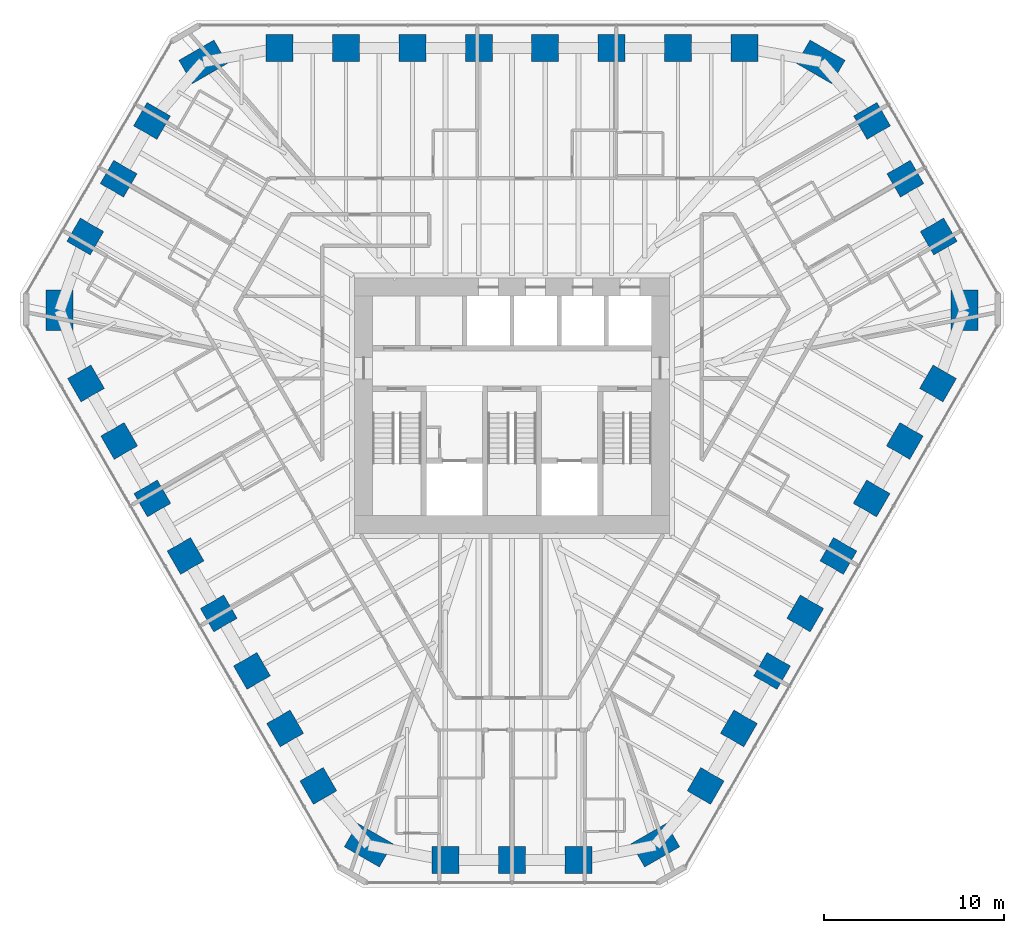
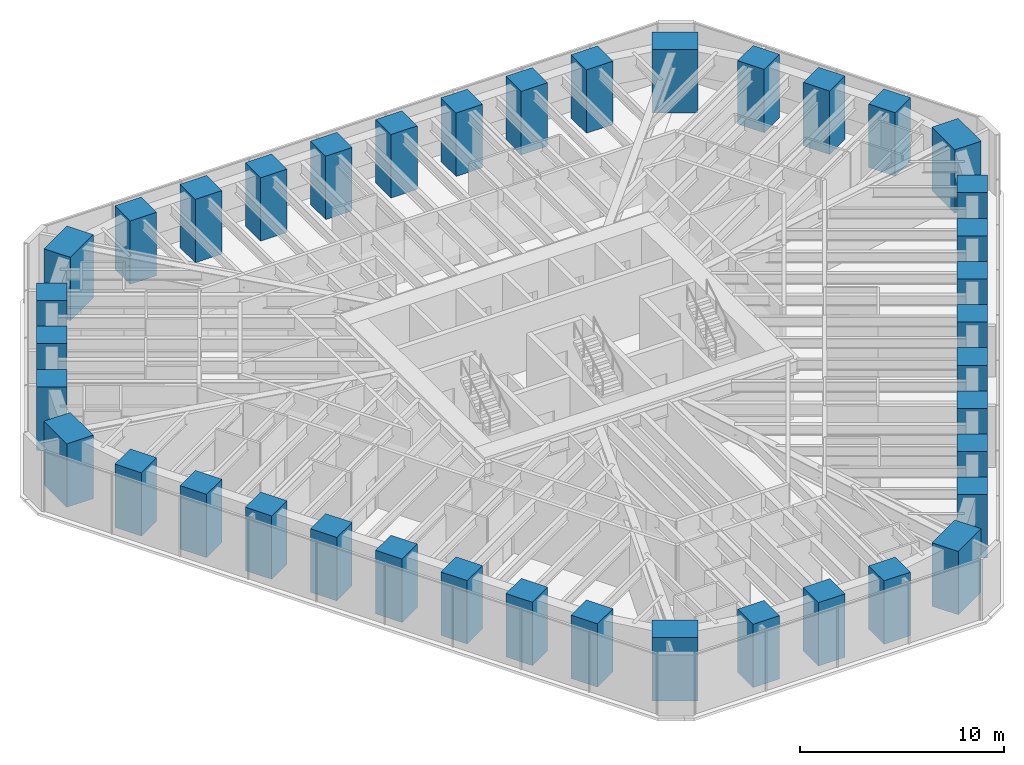
# One storey, part 1 of 17: 39 columns.
"""IFC4 building model written with IfcOpenShell, lengths in metres."""

import ifcopenshell
import ifcopenshell.guid

model = None  # the IFC model being written
_history = None  # IfcOwnerHistory: only IFC2X3 demands one
_inside = {}  # id of a spatial element -> (the spatial element, [elements in it])
_under = {}  # id of a project, library or spatial element -> (it, [spatial elements below it])
_declared = {}  # id of a project -> (the project, [libraries it declares])
_typed = {}  # id of a type object -> (the type object, [elements of that type])
_made_of = {}  # id of a material, layer set ... -> (it, [elements and type objects made of it])


def new_model(schema):
    """Start an empty IFC model of exactly this schema.

    Asked for "IFC4X3", IfcOpenShell would pick the latest addendum, in which some entities
    have other attributes; the version numbers below select the first issue.
    IFC2X3 requires an IfcOwnerHistory on every rooted entity: one is made here for all.
    """
    global model, _history
    if schema == "IFC4X3":
        model = ifcopenshell.file(schema_version=(4, 3, 0, 0))
    else:
        model = ifcopenshell.file(schema=schema)
    _inside.clear()
    _under.clear()
    _declared.clear()
    _typed.clear()
    _made_of.clear()
    _history = None
    if model.schema == "IFC2X3":
        org = make("IfcOrganization", Name="unknown")
        user = make(
            "IfcPersonAndOrganization",
            ThePerson=make("IfcPerson", FamilyName="unknown"),
            TheOrganization=org,
        )
        app = make(
            "IfcApplication",
            ApplicationDeveloper=org,
            Version="unknown",
            ApplicationFullName="unknown",
            ApplicationIdentifier="unknown",
        )
        _history = make(
            "IfcOwnerHistory",
            OwningUser=user,
            OwningApplication=app,
            ChangeAction="ADDED",
            CreationDate=0,
        )
    return model


def make(cls, **values):
    """One entity of the class cls with the attributes given. An attribute that is None is left unset."""
    return model.create_entity(
        cls, **{name: value for name, value in values.items() if value is not None}
    )


def rooted(cls, **values):
    """An entity with a GlobalId (a new one), such as an element, a storey or a relation."""
    return make(cls, GlobalId=ifcopenshell.guid.new(), OwnerHistory=_history, **values)


def si_unit(unit_type, name, prefix=None):
    """IfcSIUnit, for example si_unit("LENGTHUNIT", "METRE", prefix="MILLI")."""
    return make("IfcSIUnit", UnitType=unit_type, Prefix=prefix, Name=name)


def assignment(units):
    """IfcUnitAssignment: the units of a project."""
    return None if units is None else make("IfcUnitAssignment", Units=units)


def point(xyz):
    """IfcCartesianPoint."""
    return None if xyz is None else make("IfcCartesianPoint", Coordinates=xyz)


def direction(xyz):
    """IfcDirection."""
    return None if xyz is None else make("IfcDirection", DirectionRatios=xyz)


def frame(location, z_axis=None, x_axis=None):
    """IfcAxis2Placement3D, a coordinate frame: its origin and axes. An axis left out is left unset."""
    return make(
        "IfcAxis2Placement3D",
        Location=point(location),
        Axis=direction(z_axis),
        RefDirection=direction(x_axis),
    )


def frame_2d(location, x_axis=None):
    """IfcAxis2Placement2D, a coordinate frame in the plane: its origin and x axis."""
    return make(
        "IfcAxis2Placement2D", Location=point(location), RefDirection=direction(x_axis)
    )


def origin():
    """The frame at (0, 0, 0) with its axes left unset."""
    return frame((0.0, 0.0, 0.0))


def origin_2d():
    """The frame at (0, 0) in the plane with its x axis left unset."""
    return frame_2d((0.0, 0.0))


def place(relative_to, where):
    """IfcLocalPlacement: puts the frame where relative to a parent placement (None: the world)."""
    return make(
        "IfcLocalPlacement", PlacementRelTo=relative_to, RelativePlacement=where
    )


def context(
    kind, dimensions, precision=None, world=None, true_north=None, identifier=None
):
    """IfcGeometricRepresentationContext, for example the 3D "Model" context."""
    return make(
        "IfcGeometricRepresentationContext",
        ContextIdentifier=identifier,
        ContextType=kind,
        CoordinateSpaceDimension=dimensions,
        Precision=precision,
        WorldCoordinateSystem=world,
        TrueNorth=true_north,
    )


def subcontext(parent, identifier, kind, view, scale=None):
    """IfcGeometricRepresentationSubContext, for example "Body" below "Model"."""
    return make(
        "IfcGeometricRepresentationSubContext",
        ContextIdentifier=identifier,
        ContextType=kind,
        ParentContext=parent,
        TargetScale=scale,
        TargetView=view,
    )


def project(units=None, contexts=None):
    """IfcProject with its units and contexts."""
    return rooted(
        "IfcProject",
        Name="project",
        RepresentationContexts=contexts,
        UnitsInContext=assignment(units),
    )


def spatial(cls, under=None, at=None, **own):
    """A site, building, storey or space (cls), placed at a placement, below another one or the project."""
    s = rooted(cls, ObjectPlacement=at, **own)
    if under is not None:
        _under.setdefault(under.id(), (under, []))[1].append(s)
    return s


def profile(cls, at=None, kind="AREA", **sizes):
    """A parametric profile (cls). Its sizes go by their IFC names, for example OverallWidth=200.0."""
    return make(cls, ProfileType=kind, Position=at, **sizes)


def rectangle(**sizes):
    """IfcRectangleProfileDef."""
    return profile("IfcRectangleProfileDef", **sizes)


def extrude(swept, where, along, depth):
    """IfcExtrudedAreaSolid: the profile swept, set in the frame where, extruded along a direction by depth."""
    return make(
        "IfcExtrudedAreaSolid",
        SweptArea=swept,
        Position=where,
        ExtrudedDirection=direction(along),
        Depth=depth,
    )


def shape(context_of_items, identifier, shape_type, items):
    """IfcShapeRepresentation: the items that make up one representation, for example the "Body"."""
    return make(
        "IfcShapeRepresentation",
        ContextOfItems=context_of_items,
        RepresentationIdentifier=identifier,
        RepresentationType=shape_type,
        Items=items,
    )


def material(Name=None, Category=None):
    """IfcMaterial."""
    return make("IfcMaterial", Name=Name, Category=Category)


def material_profile(
    of_material, cross_section, Name=None, Category=None, Priority=None
):
    """IfcMaterialProfile: a cross section and its material."""
    return make(
        "IfcMaterialProfile",
        Name=Name,
        Material=of_material,
        Profile=cross_section,
        Priority=Priority,
        Category=Category,
    )


def profile_set(profiles, Name=None, composite=None):
    """IfcMaterialProfileSet."""
    return make(
        "IfcMaterialProfileSet",
        Name=Name,
        MaterialProfiles=profiles,
        CompositeProfile=composite,
    )


def made_of(thing, what):
    """Note that an element or type object is made of a material, layer set ...; save() writes the relation."""
    if what is not None:
        _made_of.setdefault(what.id(), (what, []))[1].append(thing)
    return thing


def type_object(cls, material=None, **own):
    """A type object (cls), such as IfcWallType, which elements share."""
    return made_of(rooted(cls, **own), material)


def element(
    cls,
    number,
    at=None,
    inside=None,
    cuts=None,
    type_object=None,
    material=None,
    context=None,
    identifier="Body",
    shape_type=None,
    held_by="IfcProductDefinitionShape",
    body=None,
    shapes=None,
    **own,
):
    """One element of the class cls, such as IfcWall. Its Tag is "e" and its number.

    at: its placement. inside: the storey or other place that contains it. cuts: it is an
    opening in that element (IfcRelVoidsElement). A single representation is given by context,
    identifier, shape_type and body (its items); several are given by shapes. held_by: the class
    of the entity that holds the representations. save() writes the other relations.
    """
    e = rooted(cls, Tag="e%d" % number, ObjectPlacement=at, **own)
    if body is not None:
        shapes = [shape(context, identifier, shape_type, body)]
    if shapes is not None:
        e.Representation = make(held_by, Representations=shapes)
    if inside is not None:
        _inside.setdefault(inside.id(), (inside, []))[1].append(e)
    if cuts is not None:
        rooted(
            "IfcRelVoidsElement", RelatingBuildingElement=cuts, RelatedOpeningElement=e
        )
    if type_object is not None:
        _typed.setdefault(type_object.id(), (type_object, []))[1].append(e)
    return made_of(e, material)


def aggregate(whole, parts):
    """IfcRelAggregates: a whole, such as a stair, and the parts it consists of."""
    return rooted("IfcRelAggregates", RelatingObject=whole, RelatedObjects=parts)


def save(model, path):
    """Write the relations noted so far, then the file.

    IfcRelAggregates (storeys below a building ...), IfcRelContainedInSpatialStructure (elements
    in a storey), IfcRelDefinesByType, IfcRelAssociatesMaterial and IfcRelDeclares: one each for
    every whole, place, type object, material and project.
    """
    for whole, parts in _under.values():
        aggregate(whole, parts)
    for where, things in _inside.values():
        rooted(
            "IfcRelContainedInSpatialStructure",
            RelatedElements=things,
            RelatingStructure=where,
        )
    for kind, things in _typed.values():
        rooted("IfcRelDefinesByType", RelatedObjects=things, RelatingType=kind)
    for what, things in _made_of.values():
        rooted("IfcRelAssociatesMaterial", RelatedObjects=things, RelatingMaterial=what)
    for by, libraries in _declared.values():
        rooted("IfcRelDeclares", RelatingContext=by, RelatedDefinitions=libraries)
    model.write(path)


model = new_model("IFC4")

# Units and contexts
model_context = context("Model", 3, precision=1e-05, world=origin(), true_north=direction((0.0, 1.0)))
body_context = subcontext(model_context, "Body", "Model", "MODEL_VIEW")
ifc_project = project(units=[si_unit("LENGTHUNIT", "METRE"), si_unit("AREAUNIT", "SQUARE_METRE"), si_unit("VOLUMEUNIT", "CUBIC_METRE"), si_unit("PLANEANGLEUNIT", "RADIAN"), si_unit("MASSUNIT", "GRAM", prefix="KILO")], contexts=[model_context])

# Site, building, storey
site_placement = place(None, origin())
site = spatial("IfcSite", under=ifc_project, at=site_placement, CompositionType="ELEMENT")
building_placement = place(site_placement, origin())
building = spatial("IfcBuilding", under=site, at=building_placement, Name="Sandreach Pilgrim Tower", CompositionType="ELEMENT")
storey_placement = place(building_placement, frame((0.0, 0.0, 194.60009765625)))
storey = spatial("IfcBuildingStorey", under=building, at=storey_placement, Name="L48", CompositionType="ELEMENT", Elevation=194.60009765625)

# Columns
ifc_material_1 = material(Name="Concrete 10000 psi", Category="concrete")
ifc_material_profile_1 = material_profile(ifc_material_1, rectangle(XDim=1.5, YDim=1.5, at=origin_2d()), Name="RC1500X1500")
ifc_profile_set_1 = profile_set([ifc_material_profile_1], Name="Concrete 10000 psi")
column_type_1 = type_object("IfcColumnType", Name="Tube column RC1500X1500", PredefinedType="COLUMN", material=ifc_profile_set_1)
for number, where, z_axis, x_axis, name in (
    (1, (-12.923828125, 19.900146484375, 0.0), (0.0, 0.0, 1.0), (0.0, 1.0, 0.0), "COL L48 T01"),
    (2, (-9.231201171875, 19.900146484375, 0.0), (0.0, 0.0, 1.0), (0.0, 1.0, 0.0), "COL L48 T02"),
    (3, (-5.538818359375, 19.900146484375, 0.0), (0.0, 0.0, 1.0), (0.0, 1.0, 0.0), "COL L48 T03"),
    (4, (-1.84619140625, 19.900146484375, 0.0), (0.0, 0.0, 1.0), (0.0, 1.0, 0.0), "COL L48 T04"),
    (5, (1.84619140625, 19.900146484375, 0.0), (0.0, 0.0, 1.0), (0.0, 1.0, 0.0), "COL L48 T05"),
    (6, (5.538818359375, 19.900146484375, 0.0), (0.0, 0.0, 1.0), (0.0, 1.0, 0.0), "COL L48 T06"),
    (7, (9.231201171875, 19.900146484375, 0.0), (0.0, 0.0, 1.0), (0.0, 1.0, 0.0), "COL L48 T07"),
    (8, (12.923828125, 19.900146484375, 0.0), (0.0, 0.0, 1.0), (0.0, 1.0, 0.0), "COL L48 T08"),
    (9, (20.025146484375, 15.845947265625, 0.0), (0.0, 0.0, 1.0), (0.866025403784, 0.5, 0.0), "COL L48 T10"),
    (10, (21.88037109375, 12.632568359375, 0.0), (0.0, 0.0, 1.0), (0.866025403784, 0.5, 0.0), "COL L48 T11"),
    (11, (23.7353515625, 9.419189453125, 0.0), (0.0, 0.0, 1.0), (0.866025403784, 0.5, 0.0), "COL L48 T12"),
    (12, (23.69580078125, 1.2421875, 0.0), (0.0, 0.0, 1.0), (0.866025403784, -0.5, 0.0), "COL L48 T14"),
    (13, (21.849609375, -1.95556640625, 0.0), (0.0, 0.0, 1.0), (0.866025403784, -0.5, 0.0), "COL L48 T15"),
    (14, (20.00341796875, -5.1533203125, 0.0), (0.0, 0.0, 1.0), (0.866025403784, -0.5, 0.0), "COL L48 T16"),
    (15, (18.1572265625, -8.35107421875, 0.0), (0.0, 0.0, 1.0), (0.866025403784, -0.5, 0.0), "COL L48 T17"),
    (16, (16.310791015625, -11.548828125, 0.0), (0.0, 0.0, 1.0), (0.866025403784, -0.5, 0.0), "COL L48 T18"),
    (17, (14.464599609375, -14.746826171875, 0.0), (0.0, 0.0, 1.0), (0.866025403784, -0.5, 0.0), "COL L48 T19"),
    (18, (12.618408203125, -17.944580078125, 0.0), (0.0, 0.0, 1.0), (0.866025403784, -0.5, 0.0), "COL L48 T20"),
    (19, (10.772216796875, -21.142333984375, 0.0), (0.0, 0.0, 1.0), (0.866025403784, -0.5, 0.0), "COL L48 T21"),
    (20, (3.71044921875, -25.26513671875, 0.0), (0.0, 0.0, 1.0), (0.0, -1.0, 0.0), "COL L48 T23"),
    (21, (0.0, -25.26513671875, 0.0), (0.0, 0.0, 1.0), (0.0, -1.0, 0.0), "COL L48 T24"),
    (22, (-3.71044921875, -25.26513671875, 0.0), (0.0, 0.0, 1.0), (0.0, -1.0, 0.0), "COL L48 T25"),
    (23, (-10.772216796875, -21.142333984375, 0.0), (0.0, 0.0, 1.0), (-0.866025403784, -0.5, 0.0), "COL L48 T27"),
    (24, (-12.618408203125, -17.944580078125, 0.0), (0.0, 0.0, 1.0), (-0.866025403784, -0.5, 0.0), "COL L48 T28"),
    (25, (-14.464599609375, -14.746826171875, 0.0), (0.0, 0.0, 1.0), (-0.866025403784, -0.5, 0.0), "COL L48 T29"),
    (26, (-16.310791015625, -11.548828125, 0.0), (0.0, 0.0, 1.0), (-0.866025403784, -0.5, 0.0), "COL L48 T30"),
    (27, (-18.1572265625, -8.35107421875, 0.0), (0.0, 0.0, 1.0), (-0.866025403784, -0.5, 0.0), "COL L48 T31"),
    (28, (-20.00341796875, -5.1533203125, 0.0), (0.0, 0.0, 1.0), (-0.866025403784, -0.5, 0.0), "COL L48 T32"),
    (29, (-21.849609375, -1.95556640625, 0.0), (0.0, 0.0, 1.0), (-0.866025403784, -0.5, 0.0), "COL L48 T33"),
    (30, (-23.69580078125, 1.2421875, 0.0), (0.0, 0.0, 1.0), (-0.866025403784, -0.5, 0.0), "COL L48 T34"),
    (31, (-23.7353515625, 9.419189453125, 0.0), (0.0, 0.0, 1.0), (-0.866025403784, 0.5, 0.0), "COL L48 T36"),
    (32, (-21.88037109375, 12.632568359375, 0.0), (0.0, 0.0, 1.0), (-0.866025403784, 0.5, 0.0), "COL L48 T37"),
    (33, (-20.025146484375, 15.845947265625, 0.0), (0.0, 0.0, 1.0), (-0.866025403784, 0.5, 0.0), "COL L48 T38"),
):
    element("IfcColumn", number, at=place(storey_placement, frame(where, z_axis=z_axis, x_axis=x_axis)), inside=storey, type_object=column_type_1, Name=name, PredefinedType="COLUMN", context=body_context, shape_type="SweptSolid", body=[
        extrude(rectangle(XDim=1.5, YDim=1.5, at=origin_2d()), origin(), (0.0, 0.0, 1.0), 3.7998046875),
    ])
ifc_material_2 = material(Name="Concrete 10000 psi", Category="concrete")
ifc_material_profile_2 = material_profile(ifc_material_2, rectangle(XDim=1.5, YDim=2.25, at=origin_2d()), Name="RC1500X2250")
ifc_profile_set_2 = profile_set([ifc_material_profile_2], Name="Concrete 10000 psi")
column_type_2 = type_object("IfcColumnType", Name="Tube corner pier RC1500X2250", PredefinedType="COLUMN", material=ifc_profile_set_2)
for number, where, z_axis, x_axis, name in (
    (34, (17.177978515625, 19.130615234375, 0.0), (0.0, 0.0, 1.0), (0.5, 0.866025403784, 0.0), "COL L48 T09"),
    (35, (25.156494140625, 5.311279296875, 0.0), (0.0, 0.0, 1.0), (1.0, 0.0, 0.0), "COL L48 T13"),
    (36, (7.978515625, -24.44189453125, 0.0), (0.0, 0.0, 1.0), (0.5, -0.866025403784, 0.0), "COL L48 T22"),
    (37, (-7.978515625, -24.44189453125, 0.0), (0.0, 0.0, 1.0), (-0.5, -0.866025403784, 0.0), "COL L48 T26"),
    (38, (-25.156494140625, 5.311279296875, 0.0), (0.0, 0.0, 1.0), (-1.0, 0.0, 0.0), "COL L48 T35"),
    (39, (-17.177978515625, 19.130615234375, 0.0), (0.0, 0.0, 1.0), (-0.5, 0.866025403784, 0.0), "COL L48 T39"),
):
    element("IfcColumn", number, at=place(storey_placement, frame(where, z_axis=z_axis, x_axis=x_axis)), inside=storey, type_object=column_type_2, Name=name, PredefinedType="COLUMN", context=body_context, shape_type="SweptSolid", body=[
        extrude(rectangle(XDim=1.5, YDim=2.25, at=origin_2d()), origin(), (0.0, 0.0, 1.0), 3.7998046875),
    ])

save(model, "model.ifc")
